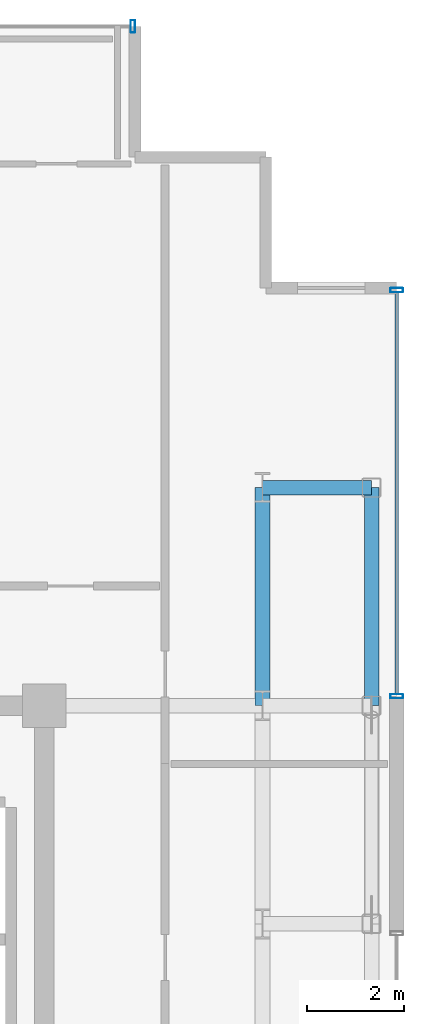
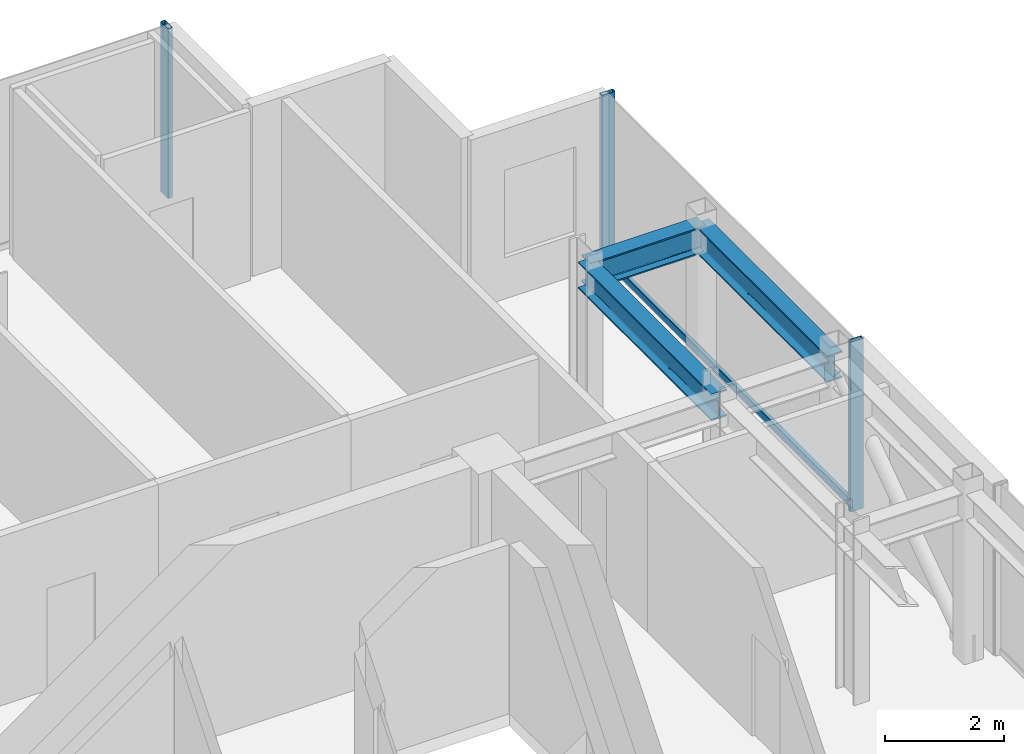
# One storey, part 9 of 16: 4 members, 3 beams, 2 elements without a shape of their own.
"""IFC4 building model written with IfcOpenShell, lengths in metres."""

from ifc_helpers import new_model, si_unit, direction, frame, origin, origin_2d, place, context, subcontext, project, spatial, hollow_rectangle, i_section, extrude, source, transform, mapped, material, layer, layer_set, material_profile, profile_set, type_object, element, aggregate, save


model = new_model("IFC4")

# Units and contexts
model_context = context("Model", 3, precision=1e-05, world=origin(), true_north=direction((0.0, 1.0)))
body_context = subcontext(model_context, "Body", "Model", "MODEL_VIEW")
ifc_project = project(units=[si_unit("LENGTHUNIT", "METRE"), si_unit("AREAUNIT", "SQUARE_METRE"), si_unit("VOLUMEUNIT", "CUBIC_METRE"), si_unit("PLANEANGLEUNIT", "RADIAN"), si_unit("MASSUNIT", "GRAM", prefix="KILO")], contexts=[model_context])

# Site, building, storey
site_placement = place(None, origin())
site = spatial("IfcSite", under=ifc_project, at=site_placement, CompositionType="ELEMENT")
building_placement = place(site_placement, origin())
building = spatial("IfcBuilding", under=site, at=building_placement, Name="Nefas-Gora Pilgrimage Tower", CompositionType="ELEMENT")
storey_placement = place(building_placement, frame((0.0, 0.0, 345.199951171875)))
storey = spatial("IfcBuildingStorey", under=building, at=storey_placement, Name="L87", CompositionType="ELEMENT", Elevation=345.199951171875)

# Beams
ifc_material_1 = material(Name="Steel S355", Category="steel")
ifc_material_profile_1 = material_profile(ifc_material_1, i_section(OverallWidth=0.300048828125, OverallDepth=0.550048828125, WebThickness=0.014892578125, FlangeThickness=0.029052734375, FilletRadius=0.027099609375, at=origin_2d()), Name="HEB 550")
ifc_profile_set_1 = profile_set([ifc_material_profile_1], Name="Steel S355")
beam_type_1 = type_object("IfcBeamType", Name="BM-SPN-HEB400", PredefinedType="SPANDREL", material=ifc_profile_set_1)
shared_shape_1 = source(origin(), body_context, "Body", "SweptSolid", [
    extrude(i_section(OverallWidth=0.300048828125, OverallDepth=0.550048828125, WebThickness=0.014892578125, FlangeThickness=0.029052734375, FilletRadius=0.027099609375, at=origin_2d()), origin(), (0.0, 0.0, 1.0), 4.5),
])
beam_1_placement = place(storey_placement, frame((18.0, 9.0, 3.22509765625), z_axis=(0.0, 1.0, 0.0), x_axis=(-1.0, 0.0, 0.0)))
element("IfcBeam", 1, at=beam_1_placement, inside=storey, type_object=beam_type_1, Name="L87 SP-04 beam", PredefinedType="SPANDREL", context=body_context, shape_type="MappedRepresentation", body=[
    mapped(shared_shape_1, transform((0.0, 0.0, 0.0), x_axis=(1.0, 0.0, 0.0), y_axis=(0.0, 1.0, 0.0), z_axis=(0.0, 0.0, 1.0), scale=1.0)),
])
ifc_material_profile_2 = material_profile(ifc_material_1, i_section(OverallWidth=0.300048828125, OverallDepth=0.550048828125, WebThickness=0.014892578125, FlangeThickness=0.029052734375, FilletRadius=0.027099609375, at=origin_2d()), Name="HEB 550")
ifc_profile_set_2 = profile_set([ifc_material_profile_2], Name="Steel S355")
beam_type_2 = type_object("IfcBeamType", Name="BM-GIR-HEB550", PredefinedType="BEAM", material=ifc_profile_set_2)
shared_shape_2 = source(origin(), body_context, "Body", "SweptSolid", [
    extrude(i_section(OverallWidth=0.300048828125, OverallDepth=0.550048828125, WebThickness=0.014892578125, FlangeThickness=0.029052734375, FilletRadius=0.027099609375, at=origin_2d()), origin(), (0.0, 0.0, 1.0), 4.5),
])
beam_2_placement = place(storey_placement, frame((15.75, 9.0, 3.22509765625), z_axis=(0.0, 1.0, 0.0), x_axis=(-1.0, 0.0, 0.0)))
element("IfcBeam", 2, at=beam_2_placement, inside=storey, type_object=beam_type_2, Name="L87 G-05 beam", PredefinedType="BEAM", context=body_context, shape_type="MappedRepresentation", body=[
    mapped(shared_shape_2, transform((0.0, 0.0, 0.0), x_axis=(1.0, 0.0, 0.0), y_axis=(0.0, 1.0, 0.0), z_axis=(0.0, 0.0, 1.0), scale=1.0)),
])
shared_shape_3 = source(origin(), body_context, "Body", "SweptSolid", [
    extrude(i_section(OverallWidth=0.300048828125, OverallDepth=0.550048828125, WebThickness=0.014892578125, FlangeThickness=0.029052734375, FilletRadius=0.027099609375, at=origin_2d()), origin(), (0.0, 0.0, 1.0), 2.25),
])
beam_3_placement = place(storey_placement, frame((15.75, 13.5, 3.22509765625), z_axis=(1.0, 0.0, 0.0), x_axis=(0.0, 1.0, 0.0)))
element("IfcBeam", 3, at=beam_3_placement, inside=storey, type_object=beam_type_2, Name="L87 G-05 beam", PredefinedType="BEAM", context=body_context, shape_type="MappedRepresentation", body=[
    mapped(shared_shape_3, transform((0.0, 0.0, 0.0), x_axis=(1.0, 0.0, 0.0), y_axis=(0.0, 1.0, 0.0), z_axis=(0.0, 0.0, 1.0), scale=1.0)),
])

# Curtain wall, member
ifc_material_2 = material(Name="Dark ceramic-fritted solar-control aluminium-glass curtain wall", Category="aluminium")
ifc_layer = layer(ifc_material_2, 0.219970703125)
ifc_layer_set = layer_set([ifc_layer], Name="Dark ceramic-fritted solar-control aluminium-glass curtain wall")
curtain_wall_type = type_object("IfcCurtainWallType", Name="CW-SYS-4", PredefinedType="NOTDEFINED", material=ifc_layer_set)
curtain_wall_1_placement = place(storey_placement, origin())
curtain_wall_1 = element("IfcCurtainWall", 4, at=curtain_wall_1_placement, inside=storey, type_object=curtain_wall_type, Name="L87 Unitised Curtain Wall CW4", PredefinedType="NOTDEFINED")
ifc_material_3 = material(Name="Anodised architectural aluminium", Category="aluminium")
ifc_material_profile_3 = material_profile(ifc_material_3, hollow_rectangle(XDim=0.080078125, YDim=0.159912109375, WallThickness=0.00439453125, InnerFilletRadius=0.00439453125, OuterFilletRadius=0.009033203125, at=origin_2d()), Name="ALU TRANSOM 80x160")
ifc_profile_set_3 = profile_set([ifc_material_profile_3], Name="Anodised architectural aluminium")
member_type_1 = type_object("IfcMemberType", Name="CWM-TRN-4", PredefinedType="USERDEFINED", material=ifc_profile_set_3)
shared_shape_4 = source(origin(), body_context, "Body", "SweptSolid", [
    extrude(hollow_rectangle(XDim=0.080078125, YDim=0.159912109375, WallThickness=0.00439453125, InnerFilletRadius=0.00439453125, OuterFilletRadius=0.009033203125, at=origin_2d()), origin(), (0.0, 0.0, 1.0), 8.2900390625),
])
member_1_placement = place(storey_placement, frame((18.52001953125, 9.239990234375, 0.050048828125), z_axis=(0.0, 1.0, 0.0), x_axis=(-1.0, 0.0, 0.0)))
member_1 = element("IfcMember", 5, at=member_1_placement, type_object=member_type_1, Name="CW4 Spandrel Transom", ObjectType="TRANSOM", PredefinedType="USERDEFINED", context=body_context, shape_type="MappedRepresentation", body=[
    mapped(shared_shape_4, transform((0.0, 0.0, 0.0), x_axis=(1.0, 0.0, 0.0), y_axis=(0.0, 1.0, 0.0), z_axis=(0.0, 0.0, 1.0), scale=1.0)),
])

curtain_wall_2_placement = place(storey_placement, origin())
curtain_wall_2 = element("IfcCurtainWall", 6, at=curtain_wall_2_placement, inside=storey, type_object=curtain_wall_type, Name="L87 Unitised Curtain Wall CW4", PredefinedType="NOTDEFINED")
ifc_material_profile_4 = material_profile(ifc_material_3, hollow_rectangle(XDim=0.090087890625, YDim=0.260009765625, WallThickness=0.006103515625, InnerFilletRadius=0.006103515625, OuterFilletRadius=0.011962890625, at=origin_2d()), Name="ALU MULLION 90x260")
ifc_profile_set_4 = profile_set([ifc_material_profile_4], Name="Anodised architectural aluminium")
member_type_2 = type_object("IfcMemberType", Name="CWM-MUL-4", PredefinedType="MULLION", material=ifc_profile_set_4)
shared_shape_5 = source(origin(), body_context, "Body", "SweptSolid", [
    extrude(hollow_rectangle(XDim=0.090087890625, YDim=0.260009765625, WallThickness=0.006103515625, InnerFilletRadius=0.006103515625, OuterFilletRadius=0.011962890625, at=origin_2d()), origin(), (0.0, 0.0, 1.0), 3.5),
])
member_2_placement = place(storey_placement, frame((13.074951171875, 23.02001953125, 0.0), z_axis=(0.0, 0.0, 1.0), x_axis=(-1.0, 0.0, 0.0)))
member_2 = element("IfcMember", 7, at=member_2_placement, type_object=member_type_2, Name="CW4 Mullion 1", PredefinedType="MULLION", context=body_context, shape_type="MappedRepresentation", body=[
    mapped(shared_shape_5, transform((0.0, 0.0, 0.0), x_axis=(1.0, 0.0, 0.0), y_axis=(0.0, 1.0, 0.0), z_axis=(0.0, 0.0, 1.0), scale=1.0)),
])
aggregate(curtain_wall_2, [member_2])

# Member
member_3_placement = place(storey_placement, frame((18.52001953125, 9.195068359375, 0.0), z_axis=(0.0, 0.0, 1.0), x_axis=(0.0, 1.0, 0.0)))
member_3 = element("IfcMember", 8, at=member_3_placement, type_object=member_type_2, Name="CW4 Mullion 1", PredefinedType="MULLION", context=body_context, shape_type="MappedRepresentation", body=[
    mapped(shared_shape_5, transform((0.0, 0.0, 0.0), x_axis=(1.0, 0.0, 0.0), y_axis=(0.0, 1.0, 0.0), z_axis=(0.0, 0.0, 1.0), scale=1.0)),
])

member_4_placement = place(storey_placement, frame((18.52001953125, 17.574951171875, 0.0), z_axis=(0.0, 0.0, 1.0), x_axis=(0.0, 1.0, 0.0)))
member_4 = element("IfcMember", 9, at=member_4_placement, type_object=member_type_2, Name="CW4 Mullion 2", PredefinedType="MULLION", context=body_context, shape_type="MappedRepresentation", body=[
    mapped(shared_shape_5, transform((0.0, 0.0, 0.0), x_axis=(1.0, 0.0, 0.0), y_axis=(0.0, 1.0, 0.0), z_axis=(0.0, 0.0, 1.0), scale=1.0)),
])

aggregate(curtain_wall_1, [member_3, member_4, member_1])

save(model, "model.ifc")
